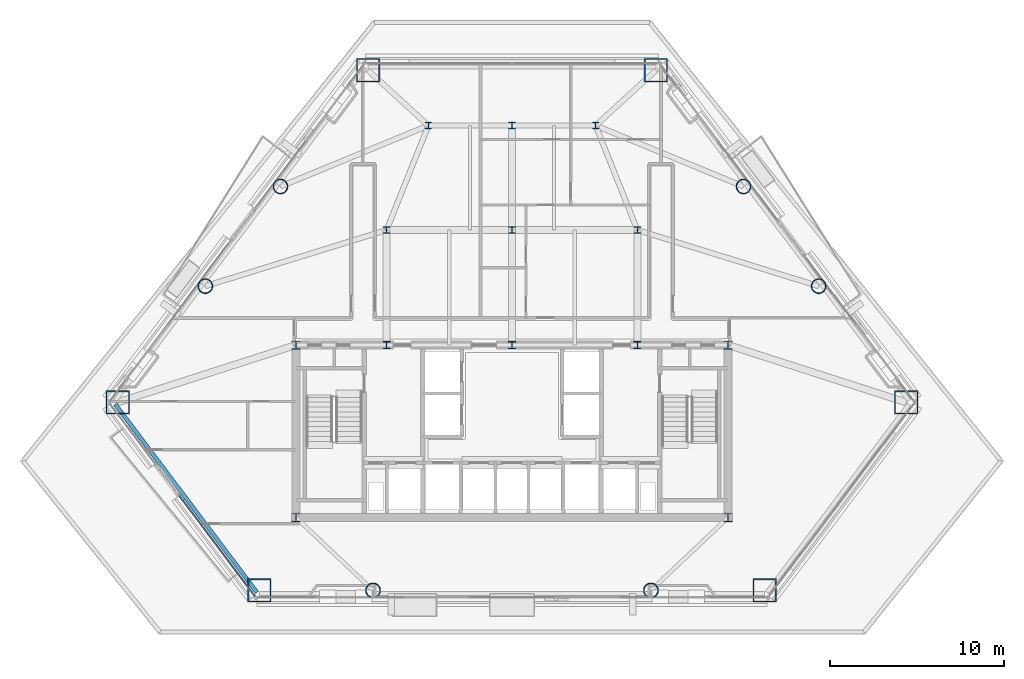
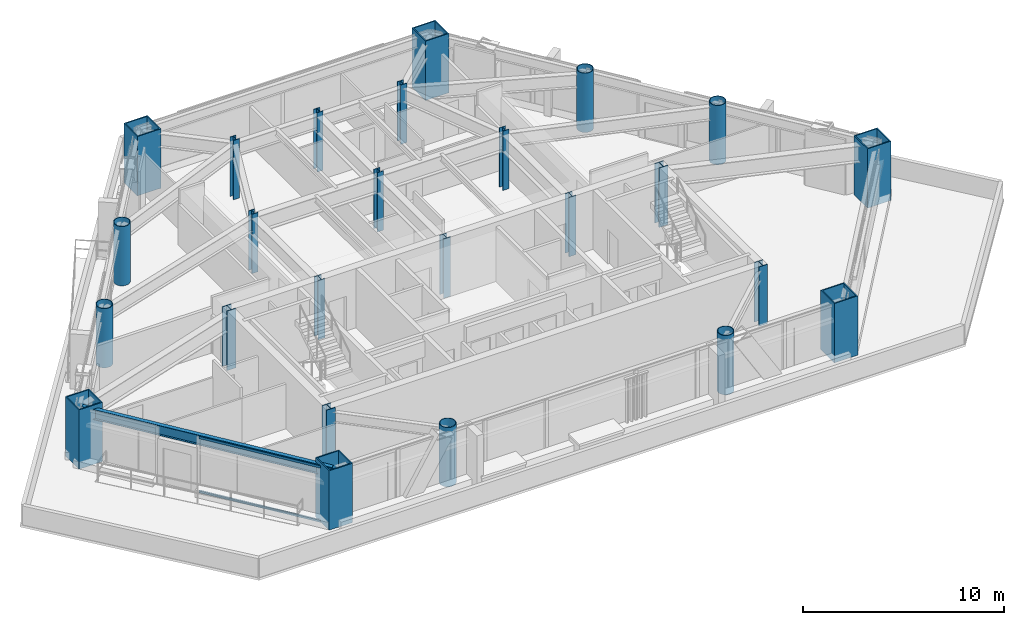
# One storey, part 1 of 13: 25 columns, 2 members, 1 beam, 1 element without a shape of its own.
"""IFC4 building model written with IfcOpenShell, lengths in metres."""

from ifc_helpers import new_model, si_unit, direction, frame, origin, origin_2d, place, context, subcontext, project, spatial, rectangle, hollow_rectangle, hollow_circle, i_section, extrude, material, layer, layer_set, material_profile, profile_set, type_object, element, aggregate, save


model = new_model("IFC4")

# Units and contexts
model_context = context("Model", 3, precision=1e-05, world=origin(), true_north=direction((0.0, 1.0)))
body_context = subcontext(model_context, "Body", "Model", "MODEL_VIEW")
ifc_project = project(units=[si_unit("LENGTHUNIT", "METRE"), si_unit("AREAUNIT", "SQUARE_METRE"), si_unit("VOLUMEUNIT", "CUBIC_METRE"), si_unit("PLANEANGLEUNIT", "RADIAN"), si_unit("MASSUNIT", "GRAM", prefix="KILO")], contexts=[model_context])

# Site, building, storey
site_placement = place(None, origin())
site = spatial("IfcSite", under=ifc_project, at=site_placement, CompositionType="ELEMENT")
building_placement = place(site_placement, origin())
building = spatial("IfcBuilding", under=site, at=building_placement, Name="Talgorran Terracotta Tower", CompositionType="ELEMENT")
storey_placement = place(building_placement, frame((0.0, 0.0, 24.300048828125)))
storey = spatial("IfcBuildingStorey", under=building, at=storey_placement, Name="L05", CompositionType="ELEMENT", Elevation=24.300048828125)

# Columns
ifc_material_1 = material(Name="Steel S355 (300PLUS)", Category="steel")
ifc_material_profile_1 = material_profile(ifc_material_1, i_section(OverallWidth=0.35009765625, OverallDepth=0.366943359375, WebThickness=0.02490234375, FlangeThickness=0.031982421875, at=origin_2d()), Name="350WC258")
ifc_profile_set_1 = profile_set([ifc_material_profile_1], Name="Steel S355 (300PLUS)")
column_type_1 = type_object("IfcColumnType", Name="COL_350WC258", PredefinedType="COLUMN", material=ifc_profile_set_1)
for number, where, z_axis, x_axis, name in (
    (1, (-7.199951171875, 2.39990234375, 0.0), (0.0, 0.0, 1.0), (1.0, 0.0, 0.0), "L05 Interior Gravity Column IC1"),
    (2, (0.0, 2.39990234375, 0.0), (0.0, 0.0, 1.0), (1.0, 0.0, 0.0), "L05 Interior Gravity Column IC2"),
    (3, (7.199951171875, 2.39990234375, 0.0), (0.0, 0.0, 1.0), (1.0, 0.0, 0.0), "L05 Interior Gravity Column IC3"),
    (4, (-4.800048828125, 8.39990234375, 0.0), (0.0, 0.0, 1.0), (1.0, 0.0, 0.0), "L05 Interior Gravity Column IC4"),
    (5, (0.0, 8.39990234375, 0.0), (0.0, 0.0, 1.0), (1.0, 0.0, 0.0), "L05 Interior Gravity Column IC5"),
    (6, (4.800048828125, 8.39990234375, 0.0), (0.0, 0.0, 1.0), (1.0, 0.0, 0.0), "L05 Interior Gravity Column IC6"),
):
    element("IfcColumn", number, at=place(storey_placement, frame(where, z_axis=z_axis, x_axis=x_axis)), inside=storey, type_object=column_type_1, Name=name, PredefinedType="COLUMN", context=body_context, shape_type="SweptSolid", body=[
        extrude(i_section(OverallWidth=0.35009765625, OverallDepth=0.366943359375, WebThickness=0.02490234375, FlangeThickness=0.031982421875, at=origin_2d()), origin(), (0.0, 0.0, 1.0), 3.599853515625),
    ])
ifc_material_profile_2 = material_profile(ifc_material_1, i_section(OverallWidth=0.5, OverallDepth=0.48193359375, WebThickness=0.0400390625, FlangeThickness=0.044921875, at=origin_2d()), Name="500WC440")
ifc_profile_set_2 = profile_set([ifc_material_profile_2], Name="Steel S355 (300PLUS)")
column_type_2 = type_object("IfcColumnType", Name="COL_500WC440", PredefinedType="COLUMN", material=ifc_profile_set_2)
for number, where, z_axis, x_axis, name in (
    (7, (-12.39990234375, -14.10009765625, 0.0), (0.0, 0.0, 1.0), (1.0, 0.0, 0.0), "L05 Core Boundary Column CC1"),
    (8, (12.39990234375, -14.10009765625, 0.0), (0.0, 0.0, 1.0), (1.0, 0.0, 0.0), "L05 Core Boundary Column CC2"),
    (9, (12.39990234375, -4.199951171875, 0.0), (0.0, 0.0, 1.0), (1.0, 0.0, 0.0), "L05 Core Boundary Column CC3"),
    (10, (-12.39990234375, -4.199951171875, 0.0), (0.0, 0.0, 1.0), (1.0, 0.0, 0.0), "L05 Core Boundary Column CC4"),
):
    element("IfcColumn", number, at=place(storey_placement, frame(where, z_axis=z_axis, x_axis=x_axis)), inside=storey, type_object=column_type_2, Name=name, PredefinedType="COLUMN", context=body_context, shape_type="SweptSolid", body=[
        extrude(i_section(OverallWidth=0.5, OverallDepth=0.48193359375, WebThickness=0.0400390625, FlangeThickness=0.044921875, at=origin_2d()), origin(), (0.0, 0.0, 1.0), 3.599853515625),
    ])
ifc_material_2 = material(Name="Steel Grade 350 (350L0)", Category="steel")
ifc_material_profile_3 = material_profile(ifc_material_2, hollow_rectangle(XDim=1.35009765625, YDim=1.35009765625, WallThickness=0.06494140625, at=origin_2d()), Name="CFT1350X1350X65")
ifc_profile_set_3 = profile_set([ifc_material_profile_3], Name="Steel Grade 350 (350L0)")
column_type_3 = type_object("IfcColumnType", Name="COL_CFT_1350", PredefinedType="COLUMN", material=ifc_profile_set_3)
for number, where, z_axis, x_axis, name in (
    (11, (-22.62646484375, -7.490478515625, 0.0), (0.0, 0.0, 1.0), (1.0, 0.0, 0.0), "L05 Corner CFT Mega-Column MC1"),
    (12, (-14.495849609375, -18.280029296875, 0.0), (0.0, 0.0, 1.0), (1.0, 0.0, 0.0), "L05 Corner CFT Mega-Column MC2"),
    (13, (14.495849609375, -18.280029296875, 0.0), (0.0, 0.0, 1.0), (1.0, 0.0, 0.0), "L05 Corner CFT Mega-Column MC3"),
    (14, (22.62646484375, -7.490478515625, 0.0), (0.0, 0.0, 1.0), (1.0, 0.0, 0.0), "L05 Corner CFT Mega-Column MC4"),
    (15, (8.26318359375, 11.5703125, 0.0), (0.0, 0.0, 1.0), (1.0, 0.0, 0.0), "L05 Corner CFT Mega-Column MC5"),
    (16, (-8.26318359375, 11.5703125, 0.0), (0.0, 0.0, 1.0), (1.0, 0.0, 0.0), "L05 Corner CFT Mega-Column MC6"),
):
    element("IfcColumn", number, at=place(storey_placement, frame(where, z_axis=z_axis, x_axis=x_axis)), inside=storey, type_object=column_type_3, Name=name, PredefinedType="COLUMN", context=body_context, shape_type="SweptSolid", body=[
        extrude(hollow_rectangle(XDim=1.35009765625, YDim=1.35009765625, WallThickness=0.06494140625, at=origin_2d()), origin(), (0.0, 0.0, 1.0), 3.599853515625),
    ])
ifc_material_profile_4 = material_profile(ifc_material_2, hollow_circle(Radius=0.425048828125, WallThickness=0.0380859375, at=origin_2d()), Name="CHS850X38")
ifc_profile_set_4 = profile_set([ifc_material_profile_4], Name="Steel Grade 350 (350L0)")
column_type_4 = type_object("IfcColumnType", Name="COL_CHS_850", PredefinedType="COLUMN", material=ifc_profile_set_4)
for number, where, z_axis, x_axis, name in (
    (17, (-7.97265625, -18.280029296875, 0.0), (0.0, 0.0, 1.0), (1.0, 0.0, 0.0), "L05 Facet Perimeter Column FC1"),
    (18, (7.97265625, -18.280029296875, 0.0), (0.0, 0.0, 1.0), (1.0, 0.0, 0.0), "L05 Facet Perimeter Column FC2"),
    (19, (17.599365234375, -0.819091796875, 0.0), (0.0, 0.0, 1.0), (1.0, 0.0, 0.0), "L05 Facet Perimeter Column FC3"),
    (20, (13.290283203125, 4.899169921875, 0.0), (0.0, 0.0, 1.0), (1.0, 0.0, 0.0), "L05 Facet Perimeter Column FC4"),
    (21, (-13.290283203125, 4.899169921875, 0.0), (0.0, 0.0, 1.0), (1.0, 0.0, 0.0), "L05 Facet Perimeter Column FC5"),
    (22, (-17.599365234375, -0.819091796875, 0.0), (0.0, 0.0, 1.0), (1.0, 0.0, 0.0), "L05 Facet Perimeter Column FC6"),
):
    element("IfcColumn", number, at=place(storey_placement, frame(where, z_axis=z_axis, x_axis=x_axis)), inside=storey, type_object=column_type_4, Name=name, PredefinedType="COLUMN", context=body_context, shape_type="SweptSolid", body=[
        extrude(hollow_circle(Radius=0.425048828125, WallThickness=0.0380859375, at=origin_2d()), origin(), (0.0, 0.0, 1.0), 3.599853515625),
    ])
ifc_material_profile_5 = material_profile(ifc_material_1, i_section(OverallWidth=0.405029296875, OverallDepth=0.4140625, WebThickness=0.02197265625, FlangeThickness=0.031982421875, at=origin_2d()), Name="400WC270")
ifc_profile_set_5 = profile_set([ifc_material_profile_5], Name="Steel S355 (300PLUS)")
column_type_5 = type_object("IfcColumnType", Name="COL_PIL_400WC270", PredefinedType="PILASTER", material=ifc_profile_set_5)
for number, where, z_axis, x_axis, name in (
    (23, (-7.199951171875, -4.199951171875, 0.0), (0.0, 0.0, 1.0), (1.0, 0.0, 0.0), "L05 Core Shear Pilaster CP1"),
    (24, (0.0, -4.199951171875, 0.0), (0.0, 0.0, 1.0), (1.0, 0.0, 0.0), "L05 Core Shear Pilaster CP2"),
    (25, (7.199951171875, -4.199951171875, 0.0), (0.0, 0.0, 1.0), (1.0, 0.0, 0.0), "L05 Core Shear Pilaster CP3"),
):
    element("IfcColumn", number, at=place(storey_placement, frame(where, z_axis=z_axis, x_axis=x_axis)), inside=storey, type_object=column_type_5, Name=name, PredefinedType="PILASTER", context=body_context, shape_type="SweptSolid", body=[
        extrude(i_section(OverallWidth=0.405029296875, OverallDepth=0.4140625, WebThickness=0.02197265625, FlangeThickness=0.031982421875, at=origin_2d()), origin(), (0.0, 0.0, 1.0), 3.599853515625),
    ])

# Beam
ifc_material_profile_6 = material_profile(ifc_material_1, i_section(OverallWidth=0.22900390625, OverallDepth=0.611572265625, WebThickness=0.011962890625, FlangeThickness=0.01953125, at=origin_2d()), Name="610UB125")
ifc_profile_set_6 = profile_set([ifc_material_profile_6], Name="Steel S355 (300PLUS)")
beam_type = type_object("IfcBeamType", Name="BM_SP_610UB125", PredefinedType="SPANDREL", material=ifc_profile_set_6)
beam_placement = place(storey_placement, frame((-22.770263671875, -7.5986328125, 3.044189453125), z_axis=(0.601820005964, -0.798631755205, 0.0), x_axis=(0.798631755205, 0.601820005964, 0.0)))
element("IfcBeam", 26, at=beam_placement, inside=storey, type_object=beam_type, Name="L05 Perimeter Spandrel Beam MC1-MC2", PredefinedType="SPANDREL", context=body_context, shape_type="SweptSolid", body=[
    extrude(i_section(OverallWidth=0.22900390625, OverallDepth=0.611572265625, WebThickness=0.011962890625, FlangeThickness=0.01953125, at=origin_2d()), origin(), (0.0, 0.0, 1.0), 13.510009765625),
])

# Curtain wall, members
ifc_material_3 = material(Name="Unitised Low-E Double Glazing", Category="glass")
ifc_layer = layer(ifc_material_3, 0.199951171875, Name="CW_SYS2_RES_LOW")
ifc_layer_set = layer_set([ifc_layer], Name="Unitised Low-E Double Glazing")
curtain_wall_type = type_object("IfcCurtainWallType", Name="CW_SYS2_RES_LOW", PredefinedType="NOTDEFINED", material=ifc_layer_set)
curtain_wall_placement = place(storey_placement, origin())
curtain_wall = element("IfcCurtainWall", 27, at=curtain_wall_placement, inside=storey, type_object=curtain_wall_type, Name="CW-L05-F11", PredefinedType="NOTDEFINED")
ifc_material_4 = material(Name="Architectural Aluminium 6063-T6", Category="aluminium")
ifc_material_profile_7 = material_profile(ifc_material_4, rectangle(XDim=0.06494140625, YDim=0.14990234375, at=origin_2d()), Name="CWT65X150")
ifc_profile_set_7 = profile_set([ifc_material_profile_7], Name="Architectural Aluminium 6063-T6")
member_type = type_object("IfcMemberType", Name="TRN_65X150", PredefinedType="USERDEFINED", material=ifc_profile_set_7)
member_1_placement = place(storey_placement, frame((-19.09423828125, -12.842529296875, 0.032470703125), z_axis=(0.60181484378, -0.798635645214, 0.0), x_axis=(0.798635645214, 0.60181484378, 0.0)))
member_1 = element("IfcMember", 28, at=member_1_placement, type_object=member_type, Name="CW-L05-11 transom 1.1", ObjectType="TRANSOM", PredefinedType="USERDEFINED", context=body_context, shape_type="SweptSolid", body=[
    extrude(rectangle(XDim=0.06494140625, YDim=0.14990234375, at=origin_2d()), origin(), (0.0, 0.0, 1.0), 7.204345703125),
])
member_2_placement = place(storey_placement, frame((-19.09423828125, -12.842529296875, 3.3173828125), z_axis=(0.60181484378, -0.798635645214, 0.0), x_axis=(0.798635645214, 0.60181484378, 0.0)))
member_2 = element("IfcMember", 29, at=member_2_placement, type_object=member_type, Name="CW-L05-11 transom 1.2", ObjectType="TRANSOM", PredefinedType="USERDEFINED", context=body_context, shape_type="SweptSolid", body=[
    extrude(rectangle(XDim=0.06494140625, YDim=0.14990234375, at=origin_2d()), origin(), (0.0, 0.0, 1.0), 7.204345703125),
])
aggregate(curtain_wall, [member_1, member_2])

save(model, "model.ifc")
